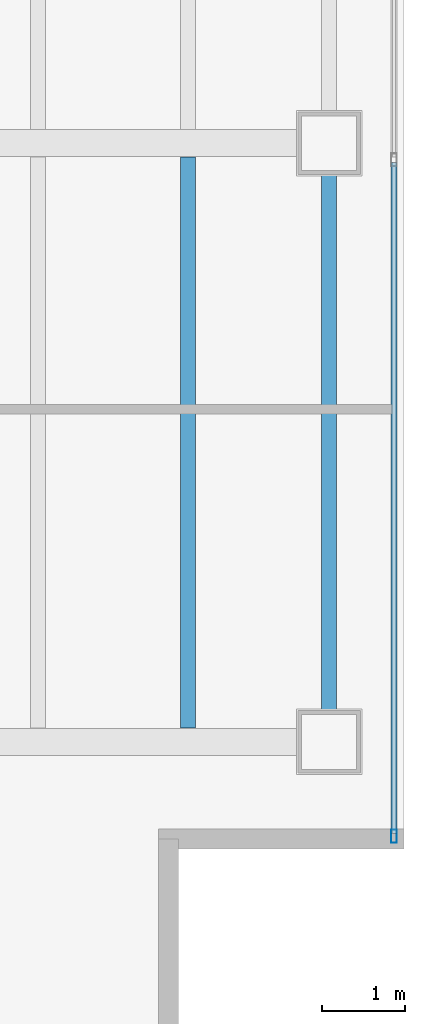
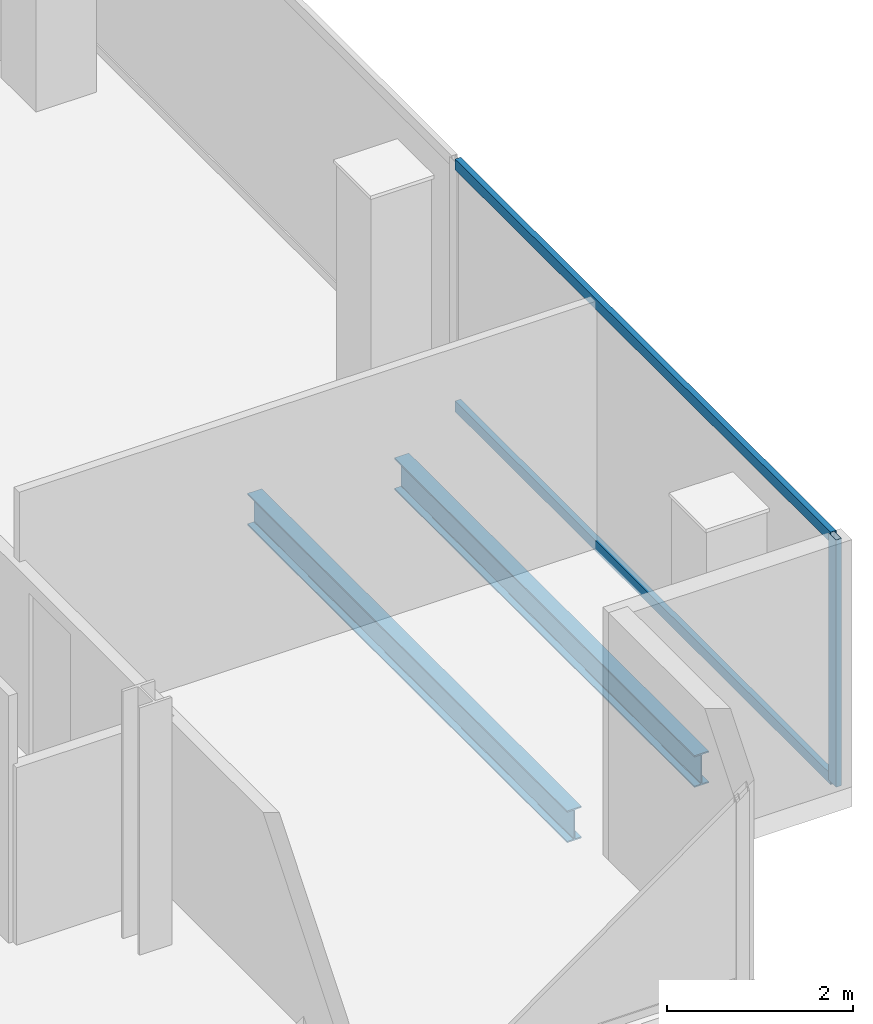
# One storey, part 12 of 23: 3 members, 2 beams, 1 element without a shape of its own.
"""IFC4 building model written with IfcOpenShell, lengths in metres."""

import ifcopenshell
import ifcopenshell.guid

model = None  # the IFC model being written
_history = None  # IfcOwnerHistory: only IFC2X3 demands one
_inside = {}  # id of a spatial element -> (the spatial element, [elements in it])
_under = {}  # id of a project, library or spatial element -> (it, [spatial elements below it])
_declared = {}  # id of a project -> (the project, [libraries it declares])
_typed = {}  # id of a type object -> (the type object, [elements of that type])
_made_of = {}  # id of a material, layer set ... -> (it, [elements and type objects made of it])


def new_model(schema):
    """Start an empty IFC model of exactly this schema.

    Asked for "IFC4X3", IfcOpenShell would pick the latest addendum, in which some entities
    have other attributes; the version numbers below select the first issue.
    IFC2X3 requires an IfcOwnerHistory on every rooted entity: one is made here for all.
    """
    global model, _history
    if schema == "IFC4X3":
        model = ifcopenshell.file(schema_version=(4, 3, 0, 0))
    else:
        model = ifcopenshell.file(schema=schema)
    _inside.clear()
    _under.clear()
    _declared.clear()
    _typed.clear()
    _made_of.clear()
    _history = None
    if model.schema == "IFC2X3":
        org = make("IfcOrganization", Name="unknown")
        user = make(
            "IfcPersonAndOrganization",
            ThePerson=make("IfcPerson", FamilyName="unknown"),
            TheOrganization=org,
        )
        app = make(
            "IfcApplication",
            ApplicationDeveloper=org,
            Version="unknown",
            ApplicationFullName="unknown",
            ApplicationIdentifier="unknown",
        )
        _history = make(
            "IfcOwnerHistory",
            OwningUser=user,
            OwningApplication=app,
            ChangeAction="ADDED",
            CreationDate=0,
        )
    return model


def make(cls, **values):
    """One entity of the class cls with the attributes given. An attribute that is None is left unset."""
    return model.create_entity(
        cls, **{name: value for name, value in values.items() if value is not None}
    )


def rooted(cls, **values):
    """An entity with a GlobalId (a new one), such as an element, a storey or a relation."""
    return make(cls, GlobalId=ifcopenshell.guid.new(), OwnerHistory=_history, **values)


def si_unit(unit_type, name, prefix=None):
    """IfcSIUnit, for example si_unit("LENGTHUNIT", "METRE", prefix="MILLI")."""
    return make("IfcSIUnit", UnitType=unit_type, Prefix=prefix, Name=name)


def assignment(units):
    """IfcUnitAssignment: the units of a project."""
    return None if units is None else make("IfcUnitAssignment", Units=units)


def point(xyz):
    """IfcCartesianPoint."""
    return None if xyz is None else make("IfcCartesianPoint", Coordinates=xyz)


def direction(xyz):
    """IfcDirection."""
    return None if xyz is None else make("IfcDirection", DirectionRatios=xyz)


def frame(location, z_axis=None, x_axis=None):
    """IfcAxis2Placement3D, a coordinate frame: its origin and axes. An axis left out is left unset."""
    return make(
        "IfcAxis2Placement3D",
        Location=point(location),
        Axis=direction(z_axis),
        RefDirection=direction(x_axis),
    )


def frame_2d(location, x_axis=None):
    """IfcAxis2Placement2D, a coordinate frame in the plane: its origin and x axis."""
    return make(
        "IfcAxis2Placement2D", Location=point(location), RefDirection=direction(x_axis)
    )


def origin():
    """The frame at (0, 0, 0) with its axes left unset."""
    return frame((0.0, 0.0, 0.0))


def origin_2d():
    """The frame at (0, 0) in the plane with its x axis left unset."""
    return frame_2d((0.0, 0.0))


def place(relative_to, where):
    """IfcLocalPlacement: puts the frame where relative to a parent placement (None: the world)."""
    return make(
        "IfcLocalPlacement", PlacementRelTo=relative_to, RelativePlacement=where
    )


def context(
    kind, dimensions, precision=None, world=None, true_north=None, identifier=None
):
    """IfcGeometricRepresentationContext, for example the 3D "Model" context."""
    return make(
        "IfcGeometricRepresentationContext",
        ContextIdentifier=identifier,
        ContextType=kind,
        CoordinateSpaceDimension=dimensions,
        Precision=precision,
        WorldCoordinateSystem=world,
        TrueNorth=true_north,
    )


def subcontext(parent, identifier, kind, view, scale=None):
    """IfcGeometricRepresentationSubContext, for example "Body" below "Model"."""
    return make(
        "IfcGeometricRepresentationSubContext",
        ContextIdentifier=identifier,
        ContextType=kind,
        ParentContext=parent,
        TargetScale=scale,
        TargetView=view,
    )


def project(units=None, contexts=None):
    """IfcProject with its units and contexts."""
    return rooted(
        "IfcProject",
        Name="project",
        RepresentationContexts=contexts,
        UnitsInContext=assignment(units),
    )


def spatial(cls, under=None, at=None, **own):
    """A site, building, storey or space (cls), placed at a placement, below another one or the project."""
    s = rooted(cls, ObjectPlacement=at, **own)
    if under is not None:
        _under.setdefault(under.id(), (under, []))[1].append(s)
    return s


def profile(cls, at=None, kind="AREA", **sizes):
    """A parametric profile (cls). Its sizes go by their IFC names, for example OverallWidth=200.0."""
    return make(cls, ProfileType=kind, Position=at, **sizes)


def hollow_rectangle(**sizes):
    """IfcRectangleHollowProfileDef."""
    return profile("IfcRectangleHollowProfileDef", **sizes)


def i_section(**sizes):
    """IfcIShapeProfileDef."""
    return profile("IfcIShapeProfileDef", **sizes)


def extrude(swept, where, along, depth):
    """IfcExtrudedAreaSolid: the profile swept, set in the frame where, extruded along a direction by depth."""
    return make(
        "IfcExtrudedAreaSolid",
        SweptArea=swept,
        Position=where,
        ExtrudedDirection=direction(along),
        Depth=depth,
    )


def shape(context_of_items, identifier, shape_type, items):
    """IfcShapeRepresentation: the items that make up one representation, for example the "Body"."""
    return make(
        "IfcShapeRepresentation",
        ContextOfItems=context_of_items,
        RepresentationIdentifier=identifier,
        RepresentationType=shape_type,
        Items=items,
    )


def material(Name=None, Category=None):
    """IfcMaterial."""
    return make("IfcMaterial", Name=Name, Category=Category)


def material_profile(
    of_material, cross_section, Name=None, Category=None, Priority=None
):
    """IfcMaterialProfile: a cross section and its material."""
    return make(
        "IfcMaterialProfile",
        Name=Name,
        Material=of_material,
        Profile=cross_section,
        Priority=Priority,
        Category=Category,
    )


def profile_set(profiles, Name=None, composite=None):
    """IfcMaterialProfileSet."""
    return make(
        "IfcMaterialProfileSet",
        Name=Name,
        MaterialProfiles=profiles,
        CompositeProfile=composite,
    )


def made_of(thing, what):
    """Note that an element or type object is made of a material, layer set ...; save() writes the relation."""
    if what is not None:
        _made_of.setdefault(what.id(), (what, []))[1].append(thing)
    return thing


def type_object(cls, material=None, **own):
    """A type object (cls), such as IfcWallType, which elements share."""
    return made_of(rooted(cls, **own), material)


def element(
    cls,
    number,
    at=None,
    inside=None,
    cuts=None,
    type_object=None,
    material=None,
    context=None,
    identifier="Body",
    shape_type=None,
    held_by="IfcProductDefinitionShape",
    body=None,
    shapes=None,
    **own,
):
    """One element of the class cls, such as IfcWall. Its Tag is "e" and its number.

    at: its placement. inside: the storey or other place that contains it. cuts: it is an
    opening in that element (IfcRelVoidsElement). A single representation is given by context,
    identifier, shape_type and body (its items); several are given by shapes. held_by: the class
    of the entity that holds the representations. save() writes the other relations.
    """
    e = rooted(cls, Tag="e%d" % number, ObjectPlacement=at, **own)
    if body is not None:
        shapes = [shape(context, identifier, shape_type, body)]
    if shapes is not None:
        e.Representation = make(held_by, Representations=shapes)
    if inside is not None:
        _inside.setdefault(inside.id(), (inside, []))[1].append(e)
    if cuts is not None:
        rooted(
            "IfcRelVoidsElement", RelatingBuildingElement=cuts, RelatedOpeningElement=e
        )
    if type_object is not None:
        _typed.setdefault(type_object.id(), (type_object, []))[1].append(e)
    return made_of(e, material)


def aggregate(whole, parts):
    """IfcRelAggregates: a whole, such as a stair, and the parts it consists of."""
    return rooted("IfcRelAggregates", RelatingObject=whole, RelatedObjects=parts)


def save(model, path):
    """Write the relations noted so far, then the file.

    IfcRelAggregates (storeys below a building ...), IfcRelContainedInSpatialStructure (elements
    in a storey), IfcRelDefinesByType, IfcRelAssociatesMaterial and IfcRelDeclares: one each for
    every whole, place, type object, material and project.
    """
    for whole, parts in _under.values():
        aggregate(whole, parts)
    for where, things in _inside.values():
        rooted(
            "IfcRelContainedInSpatialStructure",
            RelatedElements=things,
            RelatingStructure=where,
        )
    for kind, things in _typed.values():
        rooted("IfcRelDefinesByType", RelatedObjects=things, RelatingType=kind)
    for what, things in _made_of.values():
        rooted("IfcRelAssociatesMaterial", RelatedObjects=things, RelatingMaterial=what)
    for by, libraries in _declared.values():
        rooted("IfcRelDeclares", RelatingContext=by, RelatedDefinitions=libraries)
    model.write(path)


model = new_model("IFC4")

# Units and contexts
model_context = context("Model", 3, precision=1e-05, world=origin(), true_north=direction((0.0, 1.0)))
body_context = subcontext(model_context, "Body", "Model", "MODEL_VIEW")
ifc_project = project(units=[si_unit("LENGTHUNIT", "METRE"), si_unit("AREAUNIT", "SQUARE_METRE"), si_unit("VOLUMEUNIT", "CUBIC_METRE"), si_unit("PLANEANGLEUNIT", "RADIAN"), si_unit("MASSUNIT", "GRAM", prefix="KILO")], contexts=[model_context])

# Site, building, storey
site_placement = place(None, origin())
site = spatial("IfcSite", under=ifc_project, at=site_placement, CompositionType="ELEMENT")
building_placement = place(site_placement, origin())
building = spatial("IfcBuilding", under=site, at=building_placement, Name="Cobrela Telecom Tower", CompositionType="ELEMENT")
storey_placement = place(building_placement, frame((0.0, 0.0, 229.25)))
storey = spatial("IfcBuildingStorey", under=building, at=storey_placement, Name="L59", CompositionType="ELEMENT", Elevation=229.25)

# Beams
ifc_material_1 = material(Name="Steel ASTM A992 Grade 50", Category="steel")
ifc_material_profile_1 = material_profile(ifc_material_1, i_section(OverallWidth=0.179931640625, OverallDepth=0.4169921875, WebThickness=0.010986328125, FlangeThickness=0.01806640625, FilletRadius=0.011962890625, at=origin_2d()), Name="W16X57")
ifc_profile_set_1 = profile_set([ifc_material_profile_1], Name="Steel ASTM A992 Grade 50")
beam_type_1 = type_object("IfcBeamType", Name="BM-JOIST-04", PredefinedType="JOIST", material=ifc_profile_set_1)
beam_1_placement = place(storey_placement, frame((41.39990234375, 7.367431640625, -0.468505859375), z_axis=(0.0, 1.0, 0.0), x_axis=(-1.0, 0.0, 0.0)))
element("IfcBeam", 1, at=beam_1_placement, inside=storey, type_object=beam_type_1, Name="L59 Secondary Composite Floor Beam J29", PredefinedType="JOIST", context=body_context, shape_type="SweptSolid", body=[
    extrude(i_section(OverallWidth=0.179931640625, OverallDepth=0.4169921875, WebThickness=0.010986328125, FlangeThickness=0.01806640625, FilletRadius=0.011962890625, at=origin_2d()), origin(), (0.0, 0.0, 1.0), 6.864990234375),
])
ifc_material_profile_2 = material_profile(ifc_material_1, i_section(OverallWidth=0.179931640625, OverallDepth=0.4169921875, WebThickness=0.010986328125, FlangeThickness=0.01806640625, FilletRadius=0.011962890625, at=origin_2d()), Name="W16X57")
ifc_profile_set_2 = profile_set([ifc_material_profile_2], Name="Steel ASTM A992 Grade 50")
beam_type_2 = type_object("IfcBeamType", Name="BM-SPAND-06", PredefinedType="SPANDREL", material=ifc_profile_set_2)
beam_2_placement = place(storey_placement, frame((43.10009765625, 7.580078125, -0.468505859375), z_axis=(0.0, 1.0, 0.0), x_axis=(-1.0, 0.0, 0.0)))
element("IfcBeam", 2, at=beam_2_placement, inside=storey, type_object=beam_type_2, Name="L59 Perimeter Spandrel Y42", PredefinedType="SPANDREL", context=body_context, shape_type="SweptSolid", body=[
    extrude(i_section(OverallWidth=0.179931640625, OverallDepth=0.4169921875, WebThickness=0.010986328125, FlangeThickness=0.01806640625, FilletRadius=0.011962890625, at=origin_2d()), origin(), (0.0, 0.0, 1.0), 6.43994140625),
])

# Curtain wall, members
ifc_material_2 = material(Name="Anodized Bronze Aluminium 6063-T6", Category="aluminium")
curtain_wall_type = type_object("IfcCurtainWallType", Name="CW-SYS-OFF-LO", PredefinedType="USERDEFINED", material=ifc_material_2)
curtain_wall_placement = place(storey_placement, origin())
curtain_wall = element("IfcCurtainWall", 3, at=curtain_wall_placement, inside=storey, type_object=curtain_wall_type, Name="L59 Unitised Bronze Curtain Wall 14", ObjectType="UNITISED CURTAIN WALL", PredefinedType="USERDEFINED")
ifc_material_profile_3 = material_profile(ifc_material_2, hollow_rectangle(XDim=0.070068359375, YDim=0.159912109375, WallThickness=0.00390625, at=origin_2d()), Name="ALU 70x160x4")
ifc_profile_set_3 = profile_set([ifc_material_profile_3], Name="Anodized Bronze Aluminium 6063-T6")
member_type_1 = type_object("IfcMemberType", Name="CW-SYS-OFF-LO-MUL", PredefinedType="MULLION", material=ifc_profile_set_3)
member_1_placement = place(storey_placement, frame((43.8798828125, 6.06494140625, 0.0), z_axis=(0.0, 0.0, 1.0), x_axis=(1.0, 0.0, 0.0)))
member_1 = element("IfcMember", 4, at=member_1_placement, type_object=member_type_1, Name="CW-OFF-LO mullion 3", PredefinedType="MULLION", context=body_context, shape_type="SweptSolid", body=[
    extrude(hollow_rectangle(XDim=0.070068359375, YDim=0.159912109375, WallThickness=0.00390625, at=origin_2d()), origin(), (0.0, 0.0, 1.0), 3.239990234375),
])
ifc_material_profile_4 = material_profile(ifc_material_2, hollow_rectangle(XDim=0.070068359375, YDim=0.139892578125, WallThickness=0.00390625, at=origin_2d()), Name="ALU 70x140x4")
ifc_profile_set_4 = profile_set([ifc_material_profile_4], Name="Anodized Bronze Aluminium 6063-T6")
member_type_2 = type_object("IfcMemberType", Name="CW-SYS-OFF-LO-TRN", PredefinedType="USERDEFINED", material=ifc_profile_set_4)
member_2_placement = place(storey_placement, frame((43.8798828125, 14.1650390625, 0.034912109375), z_axis=(0.0, -1.0, 0.0), x_axis=(1.0, 0.0, 0.0)))
member_2 = element("IfcMember", 5, at=member_2_placement, type_object=member_type_2, Name="CW-OFF-LO transom 2.1", ObjectType="TRANSOM", PredefinedType="USERDEFINED", context=body_context, shape_type="SweptSolid", body=[
    extrude(hollow_rectangle(XDim=0.070068359375, YDim=0.139892578125, WallThickness=0.00390625, at=origin_2d()), origin(), (0.0, 0.0, 1.0), 8.06494140625),
])
member_3_placement = place(storey_placement, frame((43.8798828125, 14.1650390625, 3.205078125), z_axis=(0.0, -1.0, 0.0), x_axis=(1.0, 0.0, 0.0)))
member_3 = element("IfcMember", 6, at=member_3_placement, type_object=member_type_2, Name="CW-OFF-LO transom 2.2", ObjectType="TRANSOM", PredefinedType="USERDEFINED", context=body_context, shape_type="SweptSolid", body=[
    extrude(hollow_rectangle(XDim=0.070068359375, YDim=0.139892578125, WallThickness=0.00390625, at=origin_2d()), origin(), (0.0, 0.0, 1.0), 8.06494140625),
])
aggregate(curtain_wall, [member_1, member_2, member_3])

save(model, "model.ifc")
